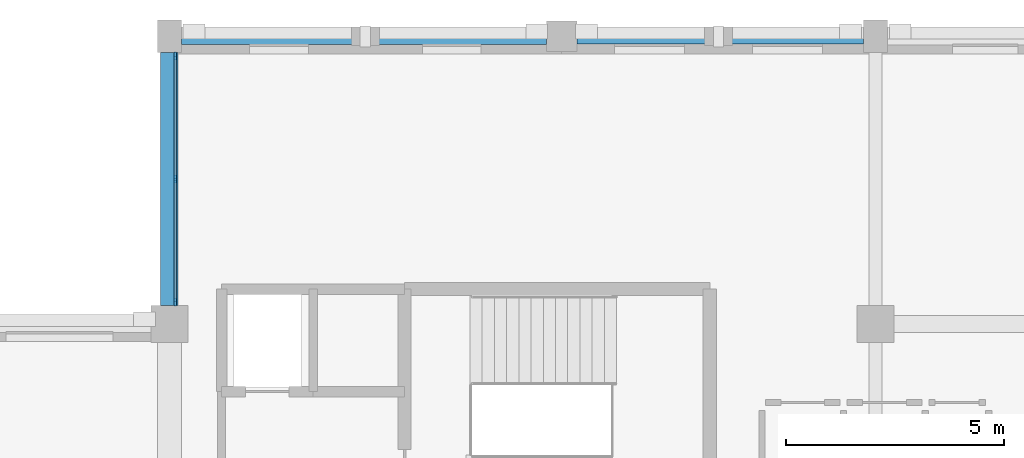
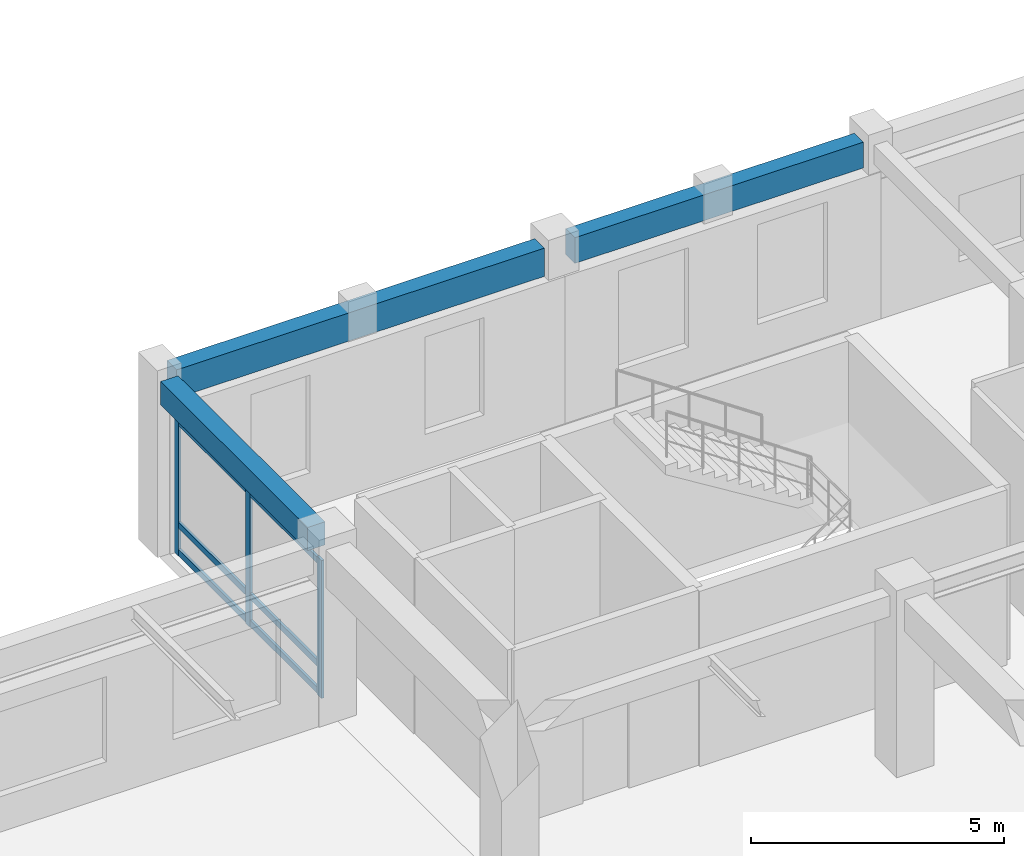
# One storey, part 22 of 62: 9 members, 3 beams, 1 element without a shape of its own.
"""IFC4 building model written with IfcOpenShell, lengths in metres."""

from ifc_helpers import new_model, si_unit, direction, frame, origin, origin_2d, place, context, subcontext, project, spatial, rectangle, extrude, material, material_profile, profile_set, type_object, element, aggregate, save


model = new_model("IFC4")

# Units and contexts
model_context = context("Model", 3, precision=1e-05, world=origin(), true_north=direction((0.0, 1.0)))
body_context = subcontext(model_context, "Body", "Model", "MODEL_VIEW")
ifc_project = project(units=[si_unit("LENGTHUNIT", "METRE"), si_unit("AREAUNIT", "SQUARE_METRE"), si_unit("VOLUMEUNIT", "CUBIC_METRE"), si_unit("PLANEANGLEUNIT", "RADIAN"), si_unit("MASSUNIT", "GRAM", prefix="KILO")], contexts=[model_context])

# Site, building, storey
site_placement = place(None, origin())
site = spatial("IfcSite", under=ifc_project, at=site_placement, CompositionType="ELEMENT")
building_placement = place(site_placement, origin())
building = spatial("IfcBuilding", under=site, at=building_placement, Name="Clarverna Civic Hall", CompositionType="ELEMENT")
storey_placement = place(building_placement, frame((0.0, 0.0, 5.10009765625)))
storey = spatial("IfcBuildingStorey", under=building, at=storey_placement, Name="L01", CompositionType="ELEMENT", Elevation=5.10009765625)

# Beams
ifc_material_1 = material(Name="Concrete C35/45", Category="concrete")
ifc_material_profile_1 = material_profile(ifc_material_1, rectangle(XDim=0.3798828125, YDim=0.679931640625, at=origin_2d()), Name="RC 380x680")
ifc_profile_set_1 = profile_set([ifc_material_profile_1], Name="Concrete C35/45")
beam_type_1 = type_object("IfcBeamType", Name="B-SP2", PredefinedType="SPANDREL", material=ifc_profile_set_1)
beam_1_placement = place(storey_placement, frame((113.675048828125, 116.0, 3.8798828125), z_axis=(1.0, 0.0, 0.0), x_axis=(0.0, 1.0, 0.0)))
element("IfcBeam", 1, at=beam_1_placement, inside=storey, type_object=beam_type_1, Name="B-SP2-069", PredefinedType="SPANDREL", context=body_context, shape_type="SweptSolid", body=[
    extrude(rectangle(XDim=0.3798828125, YDim=0.679931640625, at=origin_2d()), origin(), (0.0, 0.0, 1.0), 8.375),
])
ifc_material_profile_2 = material_profile(ifc_material_1, rectangle(XDim=0.360107421875, YDim=0.6201171875, at=origin_2d()), Name="RC 360x620")
ifc_profile_set_2 = profile_set([ifc_material_profile_2], Name="Concrete C35/45")
beam_type_2 = type_object("IfcBeamType", Name="B-SP3", PredefinedType="SPANDREL", material=ifc_profile_set_2)
beam_2_placement = place(storey_placement, frame((122.75, 116.0, 3.909912109375), z_axis=(1.0, 0.0, 0.0), x_axis=(0.0, 1.0, 0.0)))
element("IfcBeam", 2, at=beam_2_placement, inside=storey, type_object=beam_type_2, Name="B-SP3-069", PredefinedType="SPANDREL", context=body_context, shape_type="SweptSolid", body=[
    extrude(rectangle(XDim=0.360107421875, YDim=0.6201171875, at=origin_2d()), origin(), (0.0, 0.0, 1.0), 6.574951171875),
])
ifc_material_profile_3 = material_profile(ifc_material_1, rectangle(XDim=0.39990234375, YDim=0.56005859375, at=origin_2d()), Name="RC 400x560")
ifc_profile_set_3 = profile_set([ifc_material_profile_3], Name="Concrete C35/45")
beam_type_3 = type_object("IfcBeamType", Name="B-SP4", PredefinedType="SPANDREL", material=ifc_profile_set_3)
beam_3_placement = place(storey_placement, frame((113.39990234375, 109.824951171875, 3.93994140625), z_axis=(0.0, 1.0, 0.0), x_axis=(-1.0, 0.0, 0.0)))
element("IfcBeam", 3, at=beam_3_placement, inside=storey, type_object=beam_type_3, Name="B-SP4-078", PredefinedType="SPANDREL", context=body_context, shape_type="SweptSolid", body=[
    extrude(rectangle(XDim=0.39990234375, YDim=0.56005859375, at=origin_2d()), origin(), (0.0, 0.0, 1.0), 5.800048828125),
])

# Curtain wall, members
ifc_material_2 = material(Name="Anodised Bronze Architectural Aluminium", Category="aluminium")
curtain_wall_type = type_object("IfcCurtainWallType", Name="CW-01", PredefinedType="USERDEFINED", material=ifc_material_2)
curtain_wall_placement = place(storey_placement, origin())
curtain_wall = element("IfcCurtainWall", 4, at=curtain_wall_placement, inside=storey, type_object=curtain_wall_type, Name="CW-01-001", ObjectType="UNITISED CURTAIN WALL", PredefinedType="USERDEFINED")
ifc_material_profile_4 = material_profile(ifc_material_2, rectangle(XDim=0.06005859375, YDim=0.179931640625, at=origin_2d()), Name="BRONZE 60x180")
ifc_profile_set_4 = profile_set([ifc_material_profile_4], Name="Anodised Bronze Architectural Aluminium")
member_type_1 = type_object("IfcMemberType", Name="CWM-01", PredefinedType="MULLION", material=ifc_profile_set_4)
member_1_placement = place(storey_placement, frame((113.5400390625, 109.89794921875, 0.0), z_axis=(0.0, 0.0, 1.0), x_axis=(1.0, 0.0, 0.0)))
member_1 = element("IfcMember", 5, at=member_1_placement, type_object=member_type_1, Name="CWM-01-038", PredefinedType="MULLION", context=body_context, shape_type="SweptSolid", body=[
    extrude(rectangle(XDim=0.06005859375, YDim=0.179931640625, at=origin_2d()), origin(), (0.0, 0.0, 1.0), 3.31982421875),
])
member_2_placement = place(storey_placement, frame((113.5400390625, 112.72509765625, 0.0), z_axis=(0.0, 0.0, 1.0), x_axis=(1.0, 0.0, 0.0)))
member_2 = element("IfcMember", 6, at=member_2_placement, type_object=member_type_1, Name="CWM-01-039", PredefinedType="MULLION", context=body_context, shape_type="SweptSolid", body=[
    extrude(rectangle(XDim=0.06005859375, YDim=0.179931640625, at=origin_2d()), origin(), (0.0, 0.0, 1.0), 3.31982421875),
])
member_3_placement = place(storey_placement, frame((113.5400390625, 115.552001953125, 0.0), z_axis=(0.0, 0.0, 1.0), x_axis=(1.0, 0.0, 0.0)))
member_3 = element("IfcMember", 7, at=member_3_placement, type_object=member_type_1, Name="CWM-01-040", PredefinedType="MULLION", context=body_context, shape_type="SweptSolid", body=[
    extrude(rectangle(XDim=0.06005859375, YDim=0.179931640625, at=origin_2d()), origin(), (0.0, 0.0, 1.0), 3.31982421875),
])
ifc_material_profile_5 = material_profile(ifc_material_2, rectangle(XDim=0.06005859375, YDim=0.14990234375, at=origin_2d()), Name="BRONZE 60x150")
ifc_profile_set_5 = profile_set([ifc_material_profile_5], Name="Anodised Bronze Architectural Aluminium")
member_type_2 = type_object("IfcMemberType", Name="CWT-01", PredefinedType="USERDEFINED", material=ifc_profile_set_5)
member_4_placement = place(storey_placement, frame((113.5400390625, 109.9130859375, 0.094970703125), z_axis=(0.0, 1.0, 0.0), x_axis=(-1.0, 0.0, 0.0)))
member_4 = element("IfcMember", 8, at=member_4_placement, type_object=member_type_2, Name="CWT-01-079", ObjectType="TRANSOM", PredefinedType="USERDEFINED", context=body_context, shape_type="SweptSolid", body=[
    extrude(rectangle(XDim=0.06005859375, YDim=0.14990234375, at=origin_2d()), origin(), (0.0, 0.0, 1.0), 2.796875),
])
member_5_placement = place(storey_placement, frame((113.5400390625, 109.9130859375, 0.75), z_axis=(0.0, 1.0, 0.0), x_axis=(-1.0, 0.0, 0.0)))
member_5 = element("IfcMember", 9, at=member_5_placement, type_object=member_type_2, Name="CWT-01-080", ObjectType="TRANSOM", PredefinedType="USERDEFINED", context=body_context, shape_type="SweptSolid", body=[
    extrude(rectangle(XDim=0.06005859375, YDim=0.14990234375, at=origin_2d()), origin(), (0.0, 0.0, 1.0), 2.796875),
])
member_6_placement = place(storey_placement, frame((113.5400390625, 109.9130859375, 3.224853515625), z_axis=(0.0, 1.0, 0.0), x_axis=(-1.0, 0.0, 0.0)))
member_6 = element("IfcMember", 10, at=member_6_placement, type_object=member_type_2, Name="CWT-01-081", ObjectType="TRANSOM", PredefinedType="USERDEFINED", context=body_context, shape_type="SweptSolid", body=[
    extrude(rectangle(XDim=0.06005859375, YDim=0.14990234375, at=origin_2d()), origin(), (0.0, 0.0, 1.0), 2.796875),
])
member_7_placement = place(storey_placement, frame((113.5400390625, 112.739990234375, 0.094970703125), z_axis=(0.0, 1.0, 0.0), x_axis=(-1.0, 0.0, 0.0)))
member_7 = element("IfcMember", 11, at=member_7_placement, type_object=member_type_2, Name="CWT-01-082", ObjectType="TRANSOM", PredefinedType="USERDEFINED", context=body_context, shape_type="SweptSolid", body=[
    extrude(rectangle(XDim=0.06005859375, YDim=0.14990234375, at=origin_2d()), origin(), (0.0, 0.0, 1.0), 2.797119140625),
])
member_8_placement = place(storey_placement, frame((113.5400390625, 112.739990234375, 0.75), z_axis=(0.0, 1.0, 0.0), x_axis=(-1.0, 0.0, 0.0)))
member_8 = element("IfcMember", 12, at=member_8_placement, type_object=member_type_2, Name="CWT-01-083", ObjectType="TRANSOM", PredefinedType="USERDEFINED", context=body_context, shape_type="SweptSolid", body=[
    extrude(rectangle(XDim=0.06005859375, YDim=0.14990234375, at=origin_2d()), origin(), (0.0, 0.0, 1.0), 2.797119140625),
])
member_9_placement = place(storey_placement, frame((113.5400390625, 112.739990234375, 3.224853515625), z_axis=(0.0, 1.0, 0.0), x_axis=(-1.0, 0.0, 0.0)))
member_9 = element("IfcMember", 13, at=member_9_placement, type_object=member_type_2, Name="CWT-01-084", ObjectType="TRANSOM", PredefinedType="USERDEFINED", context=body_context, shape_type="SweptSolid", body=[
    extrude(rectangle(XDim=0.06005859375, YDim=0.14990234375, at=origin_2d()), origin(), (0.0, 0.0, 1.0), 2.797119140625),
])
aggregate(curtain_wall, [member_1, member_2, member_3, member_4, member_5, member_6, member_7, member_8, member_9])

save(model, "model.ifc")
